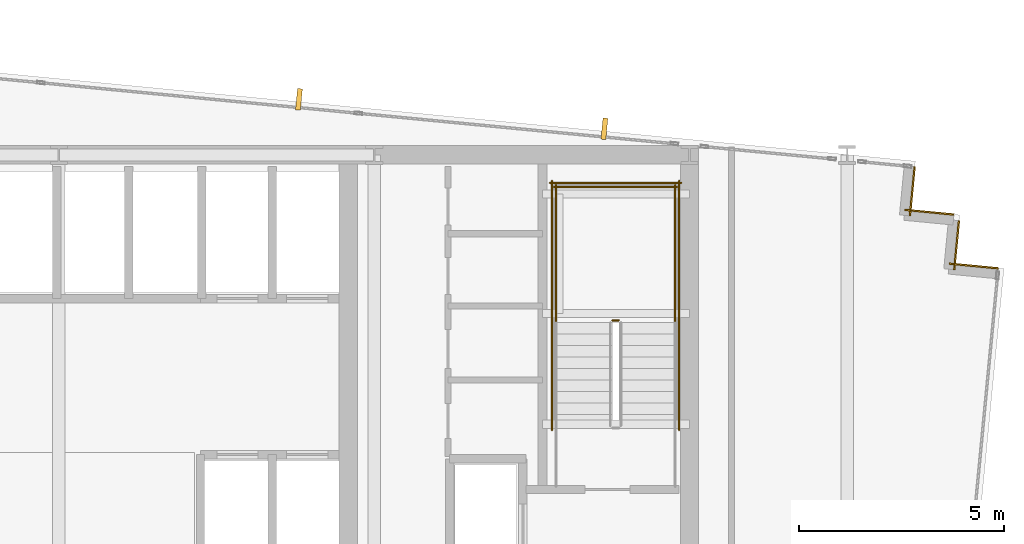
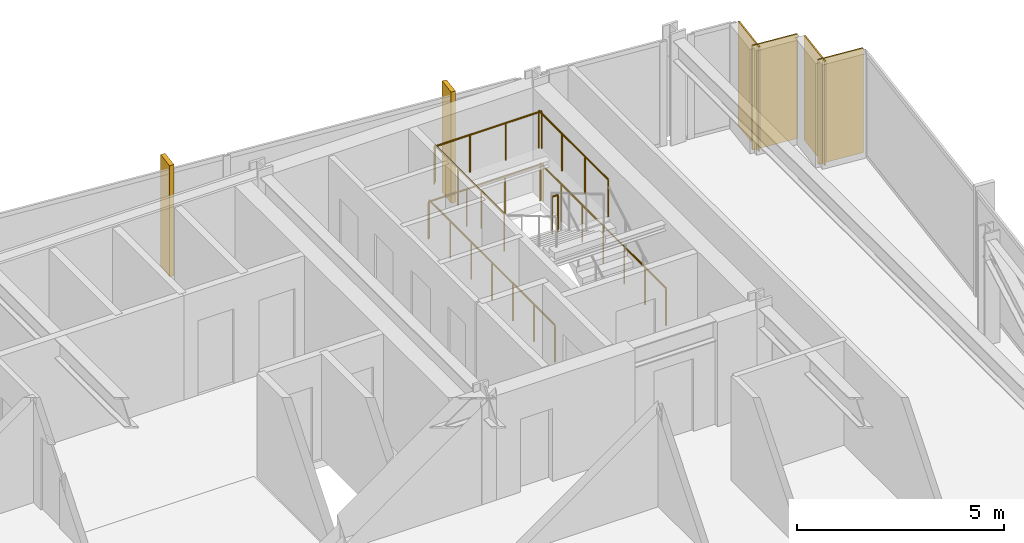
# One storey, part 38 of 38: 7 railings, 4 coverings, 2 shading devices.
"""IFC4 building model written with IfcOpenShell, lengths in metres."""

from ifc_helpers import new_model, si_unit, direction, frame, frame_2d, origin, origin_2d, place, context, subcontext, project, spatial, rectangle, circle, extrude, material, layer, layer_set, type_object, element, save


model = new_model("IFC4")

# Units and contexts
model_context = context("Model", 3, precision=1e-05, world=origin(), true_north=direction((0.0, 1.0)))
body_context = subcontext(model_context, "Body", "Model", "MODEL_VIEW")
ifc_project = project(units=[si_unit("LENGTHUNIT", "METRE"), si_unit("AREAUNIT", "SQUARE_METRE"), si_unit("VOLUMEUNIT", "CUBIC_METRE"), si_unit("PLANEANGLEUNIT", "RADIAN"), si_unit("MASSUNIT", "GRAM", prefix="KILO")], contexts=[model_context])

# Site, building, storey
site_placement = place(None, origin())
site = spatial("IfcSite", under=ifc_project, at=site_placement, CompositionType="ELEMENT")
building_placement = place(site_placement, origin())
building = spatial("IfcBuilding", under=site, at=building_placement, Name="Yelkora Congress Tower", CompositionType="ELEMENT")
storey_placement = place(building_placement, frame((0.0, 0.0, 155.60009765625)))
storey = spatial("IfcBuildingStorey", under=building, at=storey_placement, Name="L42", CompositionType="ELEMENT", Elevation=155.60009765625)

# Coverings
ifc_material_1 = material(Name="Anatolian bush-hammered limestone", Category="masonry")
ifc_layer_1 = layer(ifc_material_1, 0.0400390625)
ifc_layer_set_1 = layer_set([ifc_layer_1], Name="Anatolian bush-hammered limestone")
covering_type = type_object("IfcCoveringType", Name="COV-CLAD-SPANDREL-40", PredefinedType="CLADDING", material=ifc_layer_set_1)
covering_1_placement = place(storey_placement, frame((59.2431640625, 45.909912109375, 0.0), z_axis=(0.0, 0.0, 1.0), x_axis=(-0.095836473879, -0.995397091755, 0.0)))
element("IfcCovering", 1, at=covering_1_placement, inside=storey, type_object=covering_type, Name="L42 Anatolian Limestone Cladding EW-L42-SR11", PredefinedType="CLADDING", context=body_context, shape_type="SweptSolid", body=[
    extrude(rectangle(XDim=1.199951171875, YDim=0.0400390625, at=frame_2d((0.60009765625, 0.0))), origin(), (0.0, 0.0, 1.0), 3.079833984375),
])
for number, where, z_axis, x_axis, name in (
    (2, (59.006591796875, 44.86279296875, 0.0), (0.0, 0.0, 1.0), (0.995398960025, -0.095817067274, 0.0), "L42 Anatolian Limestone Cladding EW-L42-SR12"),
    (3, (60.322509765625, 44.6005859375, 0.0), (0.0, 0.0, 1.0), (-0.095817067274, -0.995398960025, 0.0), "L42 Anatolian Limestone Cladding EW-L42-SR13"),
):
    element("IfcCovering", number, at=place(storey_placement, frame(where, z_axis=z_axis, x_axis=x_axis)), inside=storey, type_object=covering_type, Name=name, PredefinedType="CLADDING", context=body_context, shape_type="SweptSolid", body=[
        extrude(rectangle(XDim=1.2001953125, YDim=0.0400390625, at=frame_2d((0.60009765625, 0.0))), origin(), (0.0, 0.0, 1.0), 3.079833984375),
    ])
covering_2_placement = place(storey_placement, frame((60.086181640625, 43.55322265625, 0.0), z_axis=(0.0, 0.0, 1.0), x_axis=(0.995397091755, -0.095836473879, 0.0)))
element("IfcCovering", 4, at=covering_2_placement, inside=storey, type_object=covering_type, Name="L42 Anatolian Limestone Cladding EW-L42-SR14", PredefinedType="CLADDING", context=body_context, shape_type="SweptSolid", body=[
    extrude(rectangle(XDim=1.199951171875, YDim=0.0400390625, at=frame_2d((0.60009765625, 0.0))), origin(), (0.0, 0.0, 1.0), 3.079833984375),
])

# Railings
ifc_material_2 = material(Name="Painted galvanised steel stair well guard with vertical infill", Category="steel")
ifc_layer_2 = layer(ifc_material_2, 0.06005859375)
ifc_layer_set_2 = layer_set([ifc_layer_2], Name="Painted galvanised steel stair well guard with vertical infill")
railing_type = type_object("IfcRailingType", Name="RAIL-STAIR-GUARD-1120", PredefinedType="GUARDRAIL", material=ifc_layer_set_2)
railing_1_placement = place(storey_placement, frame((52.0400390625, 42.169921875, 1.64990234375)))
element("IfcRailing", 5, at=railing_1_placement, inside=storey, type_object=railing_type, Name="ST-02 L42 Stair Well Guardrail 2", PredefinedType="GUARDRAIL", context=body_context, shape_type="SweptSolid", body=[
    extrude(circle(Radius=0.02392578125, at=origin_2d()), frame((0.0, 0.0, 1.09619140625), z_axis=(-1.0, 0.0, 0.0), x_axis=(0.0, -1.0, 0.0)), (0.0, 0.0, 1.0), 0.16015625),
    extrude(circle(Radius=0.02099609375, at=origin_2d()), origin(), (0.0, 0.0, 1.0), 1.072021484375),
    extrude(circle(Radius=0.02099609375, at=origin_2d()), frame((-0.16015625, 0.0, 0.0)), (0.0, 0.0, 1.0), 1.072021484375),
])
for number, where, name in (
    (6, (53.409912109375, 42.1201171875, 1.64990234375), "ST-02 L42 Stair Well Guardrail 3"),
    (7, (50.510009765625, 42.1201171875, 1.64990234375), "ST-02 L42 Stair Well Guardrail 4"),
):
    element("IfcRailing", number, at=place(storey_placement, frame(where)), inside=storey, type_object=railing_type, Name=name, PredefinedType="GUARDRAIL", context=body_context, shape_type="SweptSolid", body=[
        extrude(circle(Radius=0.02392578125, at=origin_2d()), frame((0.0, 0.0, 1.09619140625), z_axis=(0.0, 1.0, 0.0), x_axis=(-1.0, 0.0, 0.0)), (0.0, 0.0, 1.0), 3.349853515625),
        extrude(circle(Radius=0.02099609375, at=origin_2d()), origin(), (0.0, 0.0, 1.0), 1.072021484375),
        extrude(circle(Radius=0.02099609375, at=origin_2d()), frame((0.0, 1.11669921875, 0.0)), (0.0, 0.0, 1.0), 1.072021484375),
        extrude(circle(Radius=0.02099609375, at=origin_2d()), frame((0.0, 2.233154296875, 0.0)), (0.0, 0.0, 1.0), 1.072021484375),
        extrude(circle(Radius=0.02099609375, at=origin_2d()), frame((0.0, 3.349853515625, 0.0)), (0.0, 0.0, 1.0), 1.072021484375),
    ])
railing_2_placement = place(storey_placement, frame((53.4599609375, 45.419921875, 1.64990234375)))
element("IfcRailing", 8, at=railing_2_placement, inside=storey, type_object=railing_type, Name="ST-02 L42 Stair Well Guardrail 5", PredefinedType="GUARDRAIL", context=body_context, shape_type="SweptSolid", body=[
    extrude(circle(Radius=0.02392578125, at=origin_2d()), frame((0.0, 0.0, 1.09619140625), z_axis=(-1.0, 0.0, 0.0), x_axis=(0.0, -1.0, 0.0)), (0.0, 0.0, 1.0), 3.0),
    extrude(circle(Radius=0.02099609375, at=origin_2d()), origin(), (0.0, 0.0, 1.0), 1.072021484375),
    extrude(circle(Radius=0.02099609375, at=origin_2d()), frame((-1.0, 0.0, 0.0)), (0.0, 0.0, 1.0), 1.072021484375),
    extrude(circle(Radius=0.02099609375, at=origin_2d()), frame((-2.0, 0.0, 0.0)), (0.0, 0.0, 1.0), 1.072021484375),
    extrude(circle(Radius=0.02099609375, at=origin_2d()), frame((-3.0, 0.0, 0.0)), (0.0, 0.0, 1.0), 1.072021484375),
])
for number, where, name in (
    (9, (53.510009765625, 39.5, 0.0), "ST-02 L42 Stair Well Guardrail 10"),
    (10, (50.409912109375, 39.5, 0.0), "ST-02 L42 Stair Well Guardrail 11"),
):
    element("IfcRailing", number, at=place(storey_placement, frame(where)), inside=storey, type_object=railing_type, Name=name, PredefinedType="GUARDRAIL", context=body_context, shape_type="SweptSolid", body=[
        extrude(circle(Radius=0.02392578125, at=origin_2d()), frame((0.0, 0.0, 1.09619140625), z_axis=(0.0, 1.0, 0.0), x_axis=(-1.0, 0.0, 0.0)), (0.0, 0.0, 1.0), 6.070068359375),
        extrude(circle(Radius=0.02099609375, at=origin_2d()), origin(), (0.0, 0.0, 1.0), 1.072021484375),
        extrude(circle(Radius=0.02099609375, at=origin_2d()), frame((0.0, 1.01171875, 0.0)), (0.0, 0.0, 1.0), 1.072021484375),
        extrude(circle(Radius=0.02099609375, at=origin_2d()), frame((0.0, 2.0234375, 0.0)), (0.0, 0.0, 1.0), 1.072021484375),
        extrude(circle(Radius=0.02099609375, at=origin_2d()), frame((0.0, 3.03515625, 0.0)), (0.0, 0.0, 1.0), 1.072021484375),
        extrude(circle(Radius=0.02099609375, at=origin_2d()), frame((0.0, 4.046630859375, 0.0)), (0.0, 0.0, 1.0), 1.072021484375),
        extrude(circle(Radius=0.02099609375, at=origin_2d()), frame((0.0, 5.058349609375, 0.0)), (0.0, 0.0, 1.0), 1.072021484375),
        extrude(circle(Radius=0.02099609375, at=origin_2d()), frame((0.0, 6.070068359375, 0.0)), (0.0, 0.0, 1.0), 1.072021484375),
    ])
railing_3_placement = place(storey_placement, frame((53.56005859375, 45.52001953125, 0.0)))
element("IfcRailing", 11, at=railing_3_placement, inside=storey, type_object=railing_type, Name="ST-02 L42 Stair Well Guardrail 12", PredefinedType="GUARDRAIL", context=body_context, shape_type="SweptSolid", body=[
    extrude(circle(Radius=0.02392578125, at=origin_2d()), frame((0.0, 0.0, 1.09619140625), z_axis=(-1.0, 0.0, 0.0), x_axis=(0.0, -1.0, 0.0)), (0.0, 0.0, 1.0), 3.199951171875),
    extrude(circle(Radius=0.02099609375, at=origin_2d()), origin(), (0.0, 0.0, 1.0), 1.072021484375),
    extrude(circle(Radius=0.02099609375, at=origin_2d()), frame((-1.066650390625, 0.0, 0.0)), (0.0, 0.0, 1.0), 1.072021484375),
    extrude(circle(Radius=0.02099609375, at=origin_2d()), frame((-2.13330078125, 0.0, 0.0)), (0.0, 0.0, 1.0), 1.072021484375),
    extrude(circle(Radius=0.02099609375, at=origin_2d()), frame((-3.199951171875, 0.0, 0.0)), (0.0, 0.0, 1.0), 1.072021484375),
])

# Shading devices
ifc_material_3 = material(Name="Champagne anodised aluminium", Category="aluminium")
ifc_layer_3 = layer(ifc_material_3, 3.300048828125)
ifc_layer_set_3 = layer_set([ifc_layer_3], Name="Champagne anodised aluminium")
shading_device_type = type_object("IfcShadingDeviceType", Name="SHD-FIN-ALU-520", PredefinedType="USERDEFINED", material=ifc_layer_set_3)
for number, where, z_axis, x_axis, name in (
    (12, (44.248291015625, 47.5546875, -0.0302734375), (0.0, 0.0, 1.0), (0.995396198367, -0.09584575252, 0.0), "L42 Vertical Anodised Solar Fin 10-5"),
    (13, (51.68798828125, 46.83837890625, -0.0302734375), (0.0, 0.0, 1.0), (0.995396198367, -0.09584575252, 0.0), "L42 Vertical Anodised Solar Fin 10-6"),
):
    element("IfcShadingDevice", number, at=place(storey_placement, frame(where, z_axis=z_axis, x_axis=x_axis)), inside=storey, type_object=shading_device_type, Name=name, ObjectType="FIN", PredefinedType="USERDEFINED", context=body_context, shape_type="SweptSolid", body=[
        extrude(rectangle(XDim=0.1201171875, YDim=0.52001953125, at=origin_2d()), origin(), (0.0, 0.0, 1.0), 3.280029296875),
    ])

save(model, "model.ifc")
